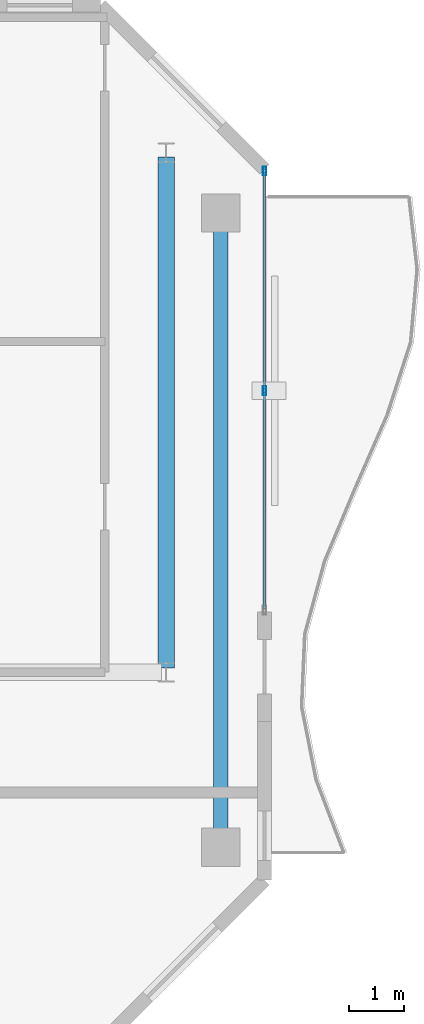
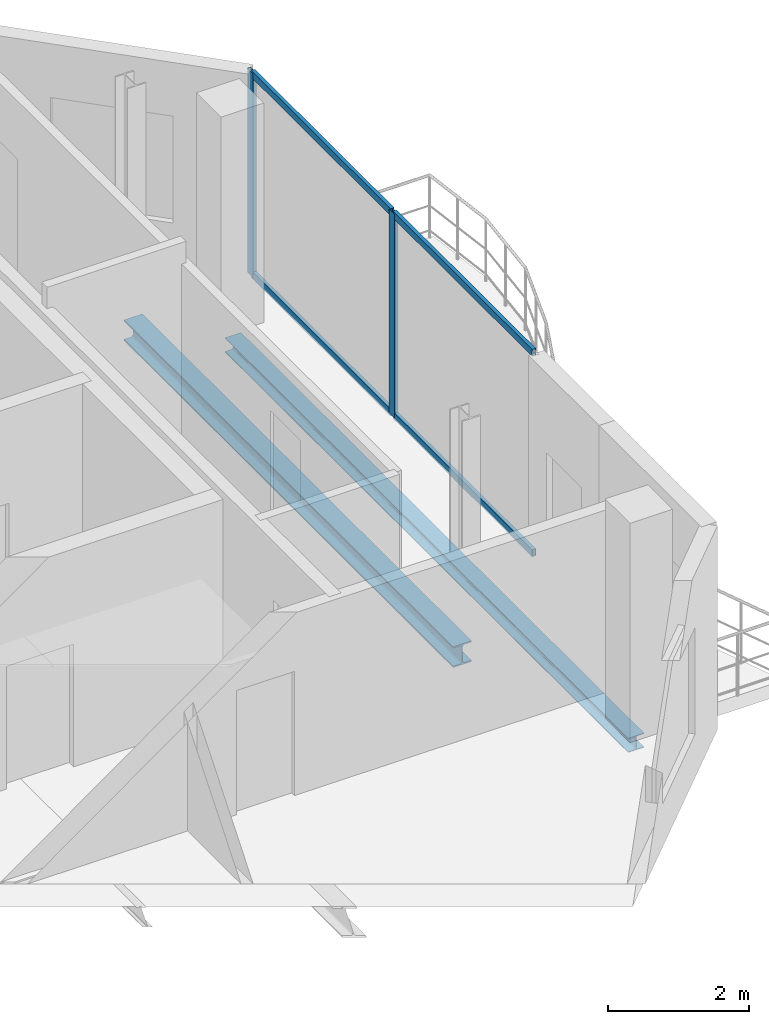
# One storey, part 15 of 23: 6 members, 2 beams, 1 element without a shape of its own.
"""IFC4 building model written with IfcOpenShell, lengths in metres."""

from ifc_helpers import new_model, si_unit, direction, frame, origin, origin_2d, place, context, subcontext, project, spatial, hollow_rectangle, i_section, extrude, material, layer, layer_set, material_profile, profile_set, type_object, element, aggregate, save


model = new_model("IFC4")

# Units and contexts
model_context = context("Model", 3, precision=1e-05, world=origin(), true_north=direction((0.0, 1.0)))
body_context = subcontext(model_context, "Body", "Model", "MODEL_VIEW")
ifc_project = project(units=[si_unit("LENGTHUNIT", "METRE"), si_unit("AREAUNIT", "SQUARE_METRE"), si_unit("VOLUMEUNIT", "CUBIC_METRE"), si_unit("PLANEANGLEUNIT", "RADIAN"), si_unit("MASSUNIT", "GRAM", prefix="KILO")], contexts=[model_context])

# Site, building, storey
site_placement = place(None, origin())
site = spatial("IfcSite", under=ifc_project, at=site_placement, CompositionType="ELEMENT")
building_placement = place(site_placement, origin())
building = spatial("IfcBuilding", under=site, at=building_placement, Name="Catumbela Crestline Tower", CompositionType="ELEMENT")
storey_placement = place(building_placement, frame((0.0, 0.0, 252.6)))
storey = spatial("IfcBuildingStorey", under=building, at=storey_placement, Name="L65", CompositionType="ELEMENT", Elevation=252.6)

# Beam
ifc_material_1 = material(Name="Structural steel S355J2", Category="steel")
ifc_material_profile_1 = material_profile(ifc_material_1, i_section(OverallWidth=0.3, OverallDepth=0.36, WebThickness=0.0125, FlangeThickness=0.0225, FilletRadius=0.027, at=origin_2d()), Name="HEB 360")
ifc_profile_set_1 = profile_set([ifc_material_profile_1], Name="Structural steel S355J2")
beam_type_1 = type_object("IfcBeamType", Name="BG-HEB360", PredefinedType="BEAM", material=ifc_profile_set_1)
beam_1_placement = place(storey_placement, frame((44.2, 30.88, -0.44), z_axis=(0.0, 1.0, 0.0), x_axis=(-1.0, 0.0, 0.0)))
element("IfcBeam", 1, at=beam_1_placement, inside=storey, type_object=beam_type_1, Name="L65 Beam BM-L65-SN19", PredefinedType="BEAM", context=body_context, shape_type="SweptSolid", body=[
    extrude(i_section(OverallWidth=0.3, OverallDepth=0.36, WebThickness=0.0125, FlangeThickness=0.0225, FilletRadius=0.027, at=origin_2d()), origin(), (0.0, 0.0, 1.0), 9.34),
])

# Curtain wall, members
ifc_material_2 = material(Name="Aluminium alloy AW-6060-T66", Category="aluminium")
ifc_layer = layer(ifc_material_2, 0.18, Name="Aluminium alloy AW-6060-T66")
ifc_layer_set = layer_set([ifc_layer], Name="Aluminium alloy AW-6060-T66")
curtain_wall_type = type_object("IfcCurtainWallType", Name="CWU-Z4", PredefinedType="USERDEFINED", material=ifc_layer_set)
curtain_wall_placement = place(storey_placement, origin())
curtain_wall = element("IfcCurtainWall", 2, at=curtain_wall_placement, inside=storey, type_object=curtain_wall_type, Name="L65 Unitised Curtain Wall CW-L65-E5S2", ObjectType="UNITISED", PredefinedType="USERDEFINED")
ifc_material_profile_2 = material_profile(ifc_material_2, hollow_rectangle(XDim=0.06, YDim=0.16, WallThickness=0.004, at=origin_2d()), Name="ALU 160x60x4")
ifc_profile_set_2 = profile_set([ifc_material_profile_2], Name="Aluminium alloy AW-6060-T66")
member_type_1 = type_object("IfcMemberType", Name="MUL-160X60", PredefinedType="MULLION", material=ifc_profile_set_2)
member_1_placement = place(storey_placement, frame((46.0, 35.95, 0.0), z_axis=(0.0, 0.0, 1.0), x_axis=(-1.0, 0.0, 0.0)))
member_1 = element("IfcMember", 3, at=member_1_placement, type_object=member_type_1, Name="CWU-Z4 mullion 2", PredefinedType="MULLION", context=body_context, shape_type="SweptSolid", body=[
    extrude(hollow_rectangle(XDim=0.06, YDim=0.16, WallThickness=0.004, at=origin_2d()), origin(), (0.0, 0.0, 1.0), 3.53),
])
member_2_placement = place(storey_placement, frame((46.0, 39.9675, 0.0), z_axis=(0.0, 0.0, 1.0), x_axis=(-1.0, 0.0, 0.0)))
member_2 = element("IfcMember", 4, at=member_2_placement, type_object=member_type_1, Name="CWU-Z4 mullion 3", PredefinedType="MULLION", context=body_context, shape_type="SweptSolid", body=[
    extrude(hollow_rectangle(XDim=0.06, YDim=0.16, WallThickness=0.004, at=origin_2d()), origin(), (0.0, 0.0, 1.0), 3.53),
])

# Beam
ifc_material_profile_3 = material_profile(ifc_material_1, i_section(OverallWidth=0.26, OverallDepth=0.25, WebThickness=0.0075, FlangeThickness=0.0125, FilletRadius=0.024, at=origin_2d()), Name="HEA 260")
ifc_profile_set_3 = profile_set([ifc_material_profile_3], Name="Structural steel S355J2")
beam_type_2 = type_object("IfcBeamType", Name="BS-HEA260", PredefinedType="SPANDREL", material=ifc_profile_set_3)
beam_2_placement = place(storey_placement, frame((45.2, 27.68, -0.385), z_axis=(0.0, 1.0, 0.0), x_axis=(-1.0, 0.0, 0.0)))
element("IfcBeam", 5, at=beam_2_placement, inside=storey, type_object=beam_type_2, Name="L65 Spandrel SP-L65-SN20", PredefinedType="SPANDREL", context=body_context, shape_type="SweptSolid", body=[
    extrude(i_section(OverallWidth=0.26, OverallDepth=0.25, WebThickness=0.0075, FlangeThickness=0.0125, FilletRadius=0.024, at=origin_2d()), origin(), (0.0, 0.0, 1.0), 11.44),
])

# Member
ifc_material_profile_4 = material_profile(ifc_material_2, hollow_rectangle(XDim=0.06, YDim=0.12, WallThickness=0.0035, at=origin_2d()), Name="ALU 120x60x3.5")
ifc_profile_set_4 = profile_set([ifc_material_profile_4], Name="Aluminium alloy AW-6060-T66")
member_type_2 = type_object("IfcMemberType", Name="TRN-120X60", PredefinedType="USERDEFINED", material=ifc_profile_set_4)
member_3_placement = place(storey_placement, frame((46.0, 31.965, 0.03), z_axis=(0.0, 1.0, 0.0), x_axis=(-1.0, 0.0, 0.0)))
member_3 = element("IfcMember", 6, at=member_3_placement, type_object=member_type_2, Name="CWU-Z4 transom 1.1", ObjectType="TRANSOM", PredefinedType="USERDEFINED", context=body_context, shape_type="SweptSolid", body=[
    extrude(hollow_rectangle(XDim=0.06, YDim=0.12, WallThickness=0.0035, at=origin_2d()), origin(), (0.0, 0.0, 1.0), 3.9525),
])

member_4_placement = place(storey_placement, frame((46.0, 31.965, 3.5), z_axis=(0.0, 1.0, 0.0), x_axis=(-1.0, 0.0, 0.0)))
member_4 = element("IfcMember", 7, at=member_4_placement, type_object=member_type_2, Name="CWU-Z4 transom 1.2", ObjectType="TRANSOM", PredefinedType="USERDEFINED", context=body_context, shape_type="SweptSolid", body=[
    extrude(hollow_rectangle(XDim=0.06, YDim=0.12, WallThickness=0.0035, at=origin_2d()), origin(), (0.0, 0.0, 1.0), 3.9525),
])

member_5_placement = place(storey_placement, frame((46.0, 35.9825, 0.03), z_axis=(0.0, 1.0, 0.0), x_axis=(-1.0, 0.0, 0.0)))
member_5 = element("IfcMember", 8, at=member_5_placement, type_object=member_type_2, Name="CWU-Z4 transom 2.1", ObjectType="TRANSOM", PredefinedType="USERDEFINED", context=body_context, shape_type="SweptSolid", body=[
    extrude(hollow_rectangle(XDim=0.06, YDim=0.12, WallThickness=0.0035, at=origin_2d()), origin(), (0.0, 0.0, 1.0), 3.9525),
])

member_6_placement = place(storey_placement, frame((46.0, 35.9825, 3.5), z_axis=(0.0, 1.0, 0.0), x_axis=(-1.0, 0.0, 0.0)))
member_6 = element("IfcMember", 9, at=member_6_placement, type_object=member_type_2, Name="CWU-Z4 transom 2.2", ObjectType="TRANSOM", PredefinedType="USERDEFINED", context=body_context, shape_type="SweptSolid", body=[
    extrude(hollow_rectangle(XDim=0.06, YDim=0.12, WallThickness=0.0035, at=origin_2d()), origin(), (0.0, 0.0, 1.0), 3.9525),
])

aggregate(curtain_wall, [member_1, member_2, member_3, member_4, member_5, member_6])

save(model, "model.ifc")
